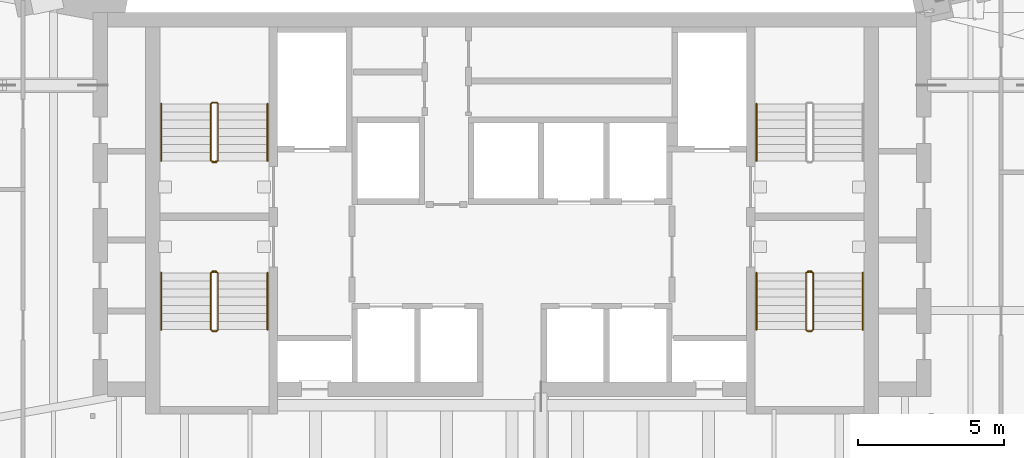
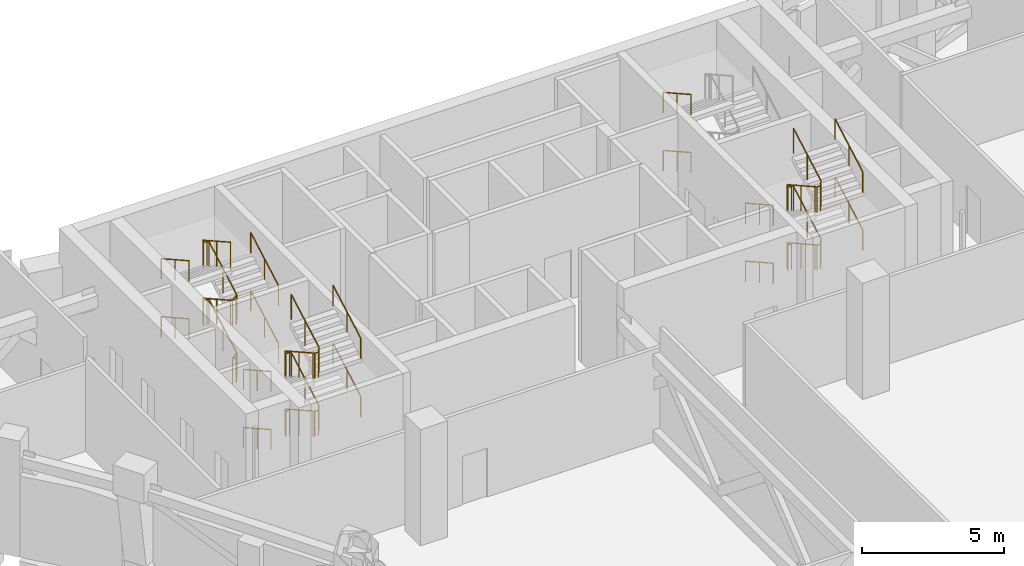
# One storey, part 22 of 23: 17 railings.
"""IFC4 building model written with IfcOpenShell, lengths in metres."""

import ifcopenshell
import ifcopenshell.guid

model = None  # the IFC model being written
_history = None  # IfcOwnerHistory: only IFC2X3 demands one
_inside = {}  # id of a spatial element -> (the spatial element, [elements in it])
_under = {}  # id of a project, library or spatial element -> (it, [spatial elements below it])
_declared = {}  # id of a project -> (the project, [libraries it declares])
_typed = {}  # id of a type object -> (the type object, [elements of that type])
_made_of = {}  # id of a material, layer set ... -> (it, [elements and type objects made of it])


def new_model(schema):
    """Start an empty IFC model of exactly this schema.

    Asked for "IFC4X3", IfcOpenShell would pick the latest addendum, in which some entities
    have other attributes; the version numbers below select the first issue.
    IFC2X3 requires an IfcOwnerHistory on every rooted entity: one is made here for all.
    """
    global model, _history
    if schema == "IFC4X3":
        model = ifcopenshell.file(schema_version=(4, 3, 0, 0))
    else:
        model = ifcopenshell.file(schema=schema)
    _inside.clear()
    _under.clear()
    _declared.clear()
    _typed.clear()
    _made_of.clear()
    _history = None
    if model.schema == "IFC2X3":
        org = make("IfcOrganization", Name="unknown")
        user = make(
            "IfcPersonAndOrganization",
            ThePerson=make("IfcPerson", FamilyName="unknown"),
            TheOrganization=org,
        )
        app = make(
            "IfcApplication",
            ApplicationDeveloper=org,
            Version="unknown",
            ApplicationFullName="unknown",
            ApplicationIdentifier="unknown",
        )
        _history = make(
            "IfcOwnerHistory",
            OwningUser=user,
            OwningApplication=app,
            ChangeAction="ADDED",
            CreationDate=0,
        )
    return model


def make(cls, **values):
    """One entity of the class cls with the attributes given. An attribute that is None is left unset."""
    return model.create_entity(
        cls, **{name: value for name, value in values.items() if value is not None}
    )


def rooted(cls, **values):
    """An entity with a GlobalId (a new one), such as an element, a storey or a relation."""
    return make(cls, GlobalId=ifcopenshell.guid.new(), OwnerHistory=_history, **values)


def si_unit(unit_type, name, prefix=None):
    """IfcSIUnit, for example si_unit("LENGTHUNIT", "METRE", prefix="MILLI")."""
    return make("IfcSIUnit", UnitType=unit_type, Prefix=prefix, Name=name)


def assignment(units):
    """IfcUnitAssignment: the units of a project."""
    return None if units is None else make("IfcUnitAssignment", Units=units)


def point(xyz):
    """IfcCartesianPoint."""
    return None if xyz is None else make("IfcCartesianPoint", Coordinates=xyz)


def direction(xyz):
    """IfcDirection."""
    return None if xyz is None else make("IfcDirection", DirectionRatios=xyz)


def frame(location, z_axis=None, x_axis=None):
    """IfcAxis2Placement3D, a coordinate frame: its origin and axes. An axis left out is left unset."""
    return make(
        "IfcAxis2Placement3D",
        Location=point(location),
        Axis=direction(z_axis),
        RefDirection=direction(x_axis),
    )


def frame_2d(location, x_axis=None):
    """IfcAxis2Placement2D, a coordinate frame in the plane: its origin and x axis."""
    return make(
        "IfcAxis2Placement2D", Location=point(location), RefDirection=direction(x_axis)
    )


def origin():
    """The frame at (0, 0, 0) with its axes left unset."""
    return frame((0.0, 0.0, 0.0))


def origin_2d():
    """The frame at (0, 0) in the plane with its x axis left unset."""
    return frame_2d((0.0, 0.0))


def place(relative_to, where):
    """IfcLocalPlacement: puts the frame where relative to a parent placement (None: the world)."""
    return make(
        "IfcLocalPlacement", PlacementRelTo=relative_to, RelativePlacement=where
    )


def context(
    kind, dimensions, precision=None, world=None, true_north=None, identifier=None
):
    """IfcGeometricRepresentationContext, for example the 3D "Model" context."""
    return make(
        "IfcGeometricRepresentationContext",
        ContextIdentifier=identifier,
        ContextType=kind,
        CoordinateSpaceDimension=dimensions,
        Precision=precision,
        WorldCoordinateSystem=world,
        TrueNorth=true_north,
    )


def subcontext(parent, identifier, kind, view, scale=None):
    """IfcGeometricRepresentationSubContext, for example "Body" below "Model"."""
    return make(
        "IfcGeometricRepresentationSubContext",
        ContextIdentifier=identifier,
        ContextType=kind,
        ParentContext=parent,
        TargetScale=scale,
        TargetView=view,
    )


def project(units=None, contexts=None):
    """IfcProject with its units and contexts."""
    return rooted(
        "IfcProject",
        Name="project",
        RepresentationContexts=contexts,
        UnitsInContext=assignment(units),
    )


def spatial(cls, under=None, at=None, **own):
    """A site, building, storey or space (cls), placed at a placement, below another one or the project."""
    s = rooted(cls, ObjectPlacement=at, **own)
    if under is not None:
        _under.setdefault(under.id(), (under, []))[1].append(s)
    return s


def profile(cls, at=None, kind="AREA", **sizes):
    """A parametric profile (cls). Its sizes go by their IFC names, for example OverallWidth=200.0."""
    return make(cls, ProfileType=kind, Position=at, **sizes)


def circle(**sizes):
    """IfcCircleProfileDef."""
    return profile("IfcCircleProfileDef", **sizes)


def extrude(swept, where, along, depth):
    """IfcExtrudedAreaSolid: the profile swept, set in the frame where, extruded along a direction by depth."""
    return make(
        "IfcExtrudedAreaSolid",
        SweptArea=swept,
        Position=where,
        ExtrudedDirection=direction(along),
        Depth=depth,
    )


def shape(context_of_items, identifier, shape_type, items):
    """IfcShapeRepresentation: the items that make up one representation, for example the "Body"."""
    return make(
        "IfcShapeRepresentation",
        ContextOfItems=context_of_items,
        RepresentationIdentifier=identifier,
        RepresentationType=shape_type,
        Items=items,
    )


def material(Name=None, Category=None):
    """IfcMaterial."""
    return make("IfcMaterial", Name=Name, Category=Category)


def made_of(thing, what):
    """Note that an element or type object is made of a material, layer set ...; save() writes the relation."""
    if what is not None:
        _made_of.setdefault(what.id(), (what, []))[1].append(thing)
    return thing


def type_object(cls, material=None, **own):
    """A type object (cls), such as IfcWallType, which elements share."""
    return made_of(rooted(cls, **own), material)


def element(
    cls,
    number,
    at=None,
    inside=None,
    cuts=None,
    type_object=None,
    material=None,
    context=None,
    identifier="Body",
    shape_type=None,
    held_by="IfcProductDefinitionShape",
    body=None,
    shapes=None,
    **own,
):
    """One element of the class cls, such as IfcWall. Its Tag is "e" and its number.

    at: its placement. inside: the storey or other place that contains it. cuts: it is an
    opening in that element (IfcRelVoidsElement). A single representation is given by context,
    identifier, shape_type and body (its items); several are given by shapes. held_by: the class
    of the entity that holds the representations. save() writes the other relations.
    """
    e = rooted(cls, Tag="e%d" % number, ObjectPlacement=at, **own)
    if body is not None:
        shapes = [shape(context, identifier, shape_type, body)]
    if shapes is not None:
        e.Representation = make(held_by, Representations=shapes)
    if inside is not None:
        _inside.setdefault(inside.id(), (inside, []))[1].append(e)
    if cuts is not None:
        rooted(
            "IfcRelVoidsElement", RelatingBuildingElement=cuts, RelatedOpeningElement=e
        )
    if type_object is not None:
        _typed.setdefault(type_object.id(), (type_object, []))[1].append(e)
    return made_of(e, material)


def aggregate(whole, parts):
    """IfcRelAggregates: a whole, such as a stair, and the parts it consists of."""
    return rooted("IfcRelAggregates", RelatingObject=whole, RelatedObjects=parts)


def save(model, path):
    """Write the relations noted so far, then the file.

    IfcRelAggregates (storeys below a building ...), IfcRelContainedInSpatialStructure (elements
    in a storey), IfcRelDefinesByType, IfcRelAssociatesMaterial and IfcRelDeclares: one each for
    every whole, place, type object, material and project.
    """
    for whole, parts in _under.values():
        aggregate(whole, parts)
    for where, things in _inside.values():
        rooted(
            "IfcRelContainedInSpatialStructure",
            RelatedElements=things,
            RelatingStructure=where,
        )
    for kind, things in _typed.values():
        rooted("IfcRelDefinesByType", RelatedObjects=things, RelatingType=kind)
    for what, things in _made_of.values():
        rooted("IfcRelAssociatesMaterial", RelatedObjects=things, RelatingMaterial=what)
    for by, libraries in _declared.values():
        rooted("IfcRelDeclares", RelatingContext=by, RelatedDefinitions=libraries)
    model.write(path)


model = new_model("IFC4")

# Units and contexts
model_context = context("Model", 3, precision=1e-05, world=origin(), true_north=direction((0.0, 1.0)))
body_context = subcontext(model_context, "Body", "Model", "MODEL_VIEW")
ifc_project = project(units=[si_unit("LENGTHUNIT", "METRE"), si_unit("AREAUNIT", "SQUARE_METRE"), si_unit("VOLUMEUNIT", "CUBIC_METRE"), si_unit("PLANEANGLEUNIT", "RADIAN"), si_unit("MASSUNIT", "GRAM", prefix="KILO")], contexts=[model_context])

# Site, building, storey
site_placement = place(None, origin())
site = spatial("IfcSite", under=ifc_project, at=site_placement, CompositionType="ELEMENT")
building_placement = place(site_placement, origin())
building = spatial("IfcBuilding", under=site, at=building_placement, Name="Calabash Gate Tower", CompositionType="ELEMENT")
storey_placement = place(building_placement, frame((0.0, 0.0, 243.199951171875)))
storey = spatial("IfcBuildingStorey", under=building, at=storey_placement, Name="L58", CompositionType="ELEMENT", Elevation=243.199951171875)

# Railings
ifc_material_1 = material(Name="Black powder-coated steel balusters", Category="steel")
railing_type_1 = type_object("IfcRailingType", Name="Stair guard RL1100", PredefinedType="GUARDRAIL", material=ifc_material_1)
railing_1_placement = place(storey_placement, frame((-10.14990234375, 13.902587890625, 0.0)))
element("IfcRailing", 1, at=railing_1_placement, inside=storey, type_object=railing_type_1, Name="L58 ST1 stair guard 1", PredefinedType="GUARDRAIL", context=body_context, shape_type="SweptSolid", body=[
    extrude(circle(Radius=0.02392578125, at=origin_2d()), frame((0.0, 0.0, 1.076171875), z_axis=(-1.0, 0.0, 0.0), x_axis=(0.0, -1.0, 0.0)), (0.0, 0.0, 1.0), 0.150146484375),
    extrude(circle(Radius=0.02392578125, at=origin_2d()), frame((-0.150146484375, 0.0, 1.076171875), z_axis=(0.77305925043, 0.19350078918, 0.604100024756), x_axis=(-0.242814311512, 0.970072785993, 0.0)), (0.0, 0.0, 1.0), 0.258544921875),
    extrude(circle(Radius=0.02392578125, at=origin_2d()), frame((0.0498046875, 0.050048828125, 1.232421875), z_axis=(0.0, 0.872479975208, 0.48864986735), x_axis=(-1.0, 0.0, 0.0)), (0.0, 0.0, 1.0), 2.23828125),
    extrude(circle(Radius=0.02392578125, at=origin_2d()), frame((0.0498046875, 2.0029296875, 2.326171875), z_axis=(-0.705375805398, 0.708833529934, 0.0), x_axis=(-0.708833529934, -0.705375805398, 0.0)), (0.0, 0.0, 1.0), 0.070556640625),
    extrude(circle(Radius=0.02392578125, at=origin_2d()), frame((0.0, 2.052978515625, 2.326171875), z_axis=(-1.0, 0.0, 0.0), x_axis=(0.0, -1.0, 0.0)), (0.0, 0.0, 1.0), 0.150146484375),
    extrude(circle(Radius=0.02392578125, at=origin_2d()), frame((-0.150146484375, 2.052978515625, 2.326171875), z_axis=(-0.29177245553, -0.29177245553, 0.91089937336), x_axis=(0.707106781187, -0.707106781187, 0.0)), (0.0, 0.0, 1.0), 0.171630859375),
    extrude(circle(Radius=0.02392578125, at=origin_2d()), frame((-0.2001953125, 2.0029296875, 2.482421875), z_axis=(0.0, -0.872479975208, 0.48864986735), x_axis=(1.0, 0.0, 0.0)), (0.0, 0.0, 1.0), 2.23828125),
    extrude(circle(Radius=0.02392578125, at=origin_2d()), frame((-0.2001953125, 0.050048828125, 3.576171875), z_axis=(0.970142500145, -0.242535625036, 0.0), x_axis=(0.242535625036, 0.970142500145, 0.0)), (0.0, 0.0, 1.0), 0.206298828125),
    extrude(circle(Radius=0.02392578125, at=origin_2d()), frame((0.0, 0.0, 3.576171875), z_axis=(-1.0, 0.0, 0.0), x_axis=(0.0, -1.0, 0.0)), (0.0, 0.0, 1.0), 0.150146484375),
    extrude(circle(Radius=0.02392578125, at=origin_2d()), frame((-0.150146484375, 0.0, 3.576171875), z_axis=(0.77305925043, 0.19350078918, 0.604100024756), x_axis=(-0.242814311512, 0.970072785993, 0.0)), (0.0, 0.0, 1.0), 0.258544921875),
    extrude(circle(Radius=0.02392578125, at=origin_2d()), frame((0.0498046875, 0.050048828125, 3.732421875), z_axis=(0.0, 0.872479975208, 0.48864986735), x_axis=(-1.0, 0.0, 0.0)), (0.0, 0.0, 1.0), 2.23828125),
    extrude(circle(Radius=0.02392578125, at=origin_2d()), frame((0.0498046875, 2.0029296875, 4.826171875), z_axis=(-0.705375805398, 0.708833529934, 0.0), x_axis=(-0.708833529934, -0.705375805398, 0.0)), (0.0, 0.0, 1.0), 0.070556640625),
    extrude(circle(Radius=0.02392578125, at=origin_2d()), frame((0.0, 2.052978515625, 4.826171875), z_axis=(-1.0, 0.0, 0.0), x_axis=(0.0, -1.0, 0.0)), (0.0, 0.0, 1.0), 0.150146484375),
    extrude(circle(Radius=0.02392578125, at=origin_2d()), frame((-0.150146484375, 2.052978515625, 4.826171875), z_axis=(-0.29177245553, -0.29177245553, 0.91089937336), x_axis=(0.707106781187, -0.707106781187, 0.0)), (0.0, 0.0, 1.0), 0.171630859375),
    extrude(circle(Radius=0.02392578125, at=origin_2d()), frame((-0.2001953125, 2.0029296875, 4.982421875), z_axis=(0.0, -0.872479975208, 0.48864986735), x_axis=(1.0, 0.0, 0.0)), (0.0, 0.0, 1.0), 2.23828125),
    extrude(circle(Radius=0.02099609375, at=origin_2d()), origin(), (0.0, 0.0, 1.0), 1.052001953125),
    extrude(circle(Radius=0.02099609375, at=origin_2d()), frame((-0.150146484375, 0.0, 0.0)), (0.0, 0.0, 1.0), 1.052001953125),
    extrude(circle(Radius=0.02099609375, at=origin_2d()), frame((0.0498046875, 0.050048828125, 0.15625)), (0.0, 0.0, 1.0), 1.052001953125),
    extrude(circle(Radius=0.02099609375, at=origin_2d()), frame((0.0498046875, 1.0263671875, 0.703125)), (0.0, 0.0, 1.0), 1.052001953125),
    extrude(circle(Radius=0.02099609375, at=origin_2d()), frame((0.0498046875, 2.0029296875, 1.25)), (0.0, 0.0, 1.0), 1.052001953125),
    extrude(circle(Radius=0.02099609375, at=origin_2d()), frame((0.0, 2.052978515625, 1.25)), (0.0, 0.0, 1.0), 1.052001953125),
    extrude(circle(Radius=0.02099609375, at=origin_2d()), frame((-0.150146484375, 2.052978515625, 1.25)), (0.0, 0.0, 1.0), 1.052001953125),
    extrude(circle(Radius=0.02099609375, at=origin_2d()), frame((-0.2001953125, 2.0029296875, 1.40625)), (0.0, 0.0, 1.0), 1.052001953125),
    extrude(circle(Radius=0.02099609375, at=origin_2d()), frame((-0.2001953125, 1.0263671875, 1.953125)), (0.0, 0.0, 1.0), 1.052001953125),
    extrude(circle(Radius=0.02099609375, at=origin_2d()), frame((-0.2001953125, 0.050048828125, 2.5)), (0.0, 0.0, 1.0), 1.052001953125),
    extrude(circle(Radius=0.02099609375, at=origin_2d()), frame((0.0, 0.0, 2.5)), (0.0, 0.0, 1.0), 1.052001953125),
    extrude(circle(Radius=0.02099609375, at=origin_2d()), frame((-0.150146484375, 0.0, 2.5)), (0.0, 0.0, 1.0), 1.052001953125),
    extrude(circle(Radius=0.02099609375, at=origin_2d()), frame((0.0498046875, 0.050048828125, 2.65625)), (0.0, 0.0, 1.0), 1.052001953125),
    extrude(circle(Radius=0.02099609375, at=origin_2d()), frame((0.0498046875, 1.0263671875, 3.203125)), (0.0, 0.0, 1.0), 1.052001953125),
    extrude(circle(Radius=0.02099609375, at=origin_2d()), frame((0.0498046875, 2.0029296875, 3.75)), (0.0, 0.0, 1.0), 1.052001953125),
    extrude(circle(Radius=0.02099609375, at=origin_2d()), frame((0.0, 2.052978515625, 3.75)), (0.0, 0.0, 1.0), 1.052001953125),
    extrude(circle(Radius=0.02099609375, at=origin_2d()), frame((-0.150146484375, 2.052978515625, 3.75)), (0.0, 0.0, 1.0), 1.052001953125),
    extrude(circle(Radius=0.02099609375, at=origin_2d()), frame((-0.2001953125, 2.0029296875, 3.90625)), (0.0, 0.0, 1.0), 1.052001953125),
    extrude(circle(Radius=0.02099609375, at=origin_2d()), frame((-0.2001953125, 1.0263671875, 4.453125)), (0.0, 0.0, 1.0), 1.052001953125),
    extrude(circle(Radius=0.02099609375, at=origin_2d()), frame((-0.2001953125, 0.050048828125, 5.0)), (0.0, 0.0, 1.0), 1.052001953125),
])
railing_2_placement = place(storey_placement, frame((-10.300048828125, 10.152587890625, 0.0)))
element("IfcRailing", 2, at=railing_2_placement, inside=storey, type_object=railing_type_1, Name="L58 ST2 stair guard 1", PredefinedType="GUARDRAIL", context=body_context, shape_type="SweptSolid", body=[
    extrude(circle(Radius=0.02392578125, at=origin_2d()), frame((0.0, 0.0, 1.076171875), z_axis=(1.0, 0.0, 0.0), x_axis=(0.0, 1.0, 0.0)), (0.0, 0.0, 1.0), 0.150146484375),
    extrude(circle(Radius=0.02392578125, at=origin_2d()), frame((0.150146484375, 0.0, 1.076171875), z_axis=(-0.773438643492, -0.193359660873, 0.603659429067), x_axis=(0.242535625036, -0.970142500145, 0.0)), (0.0, 0.0, 1.0), 0.2587890625),
    extrude(circle(Radius=0.02392578125, at=origin_2d()), frame((-0.050048828125, -0.050048828125, 1.232421875), z_axis=(0.0, -0.872479975208, 0.48864986735), x_axis=(1.0, 0.0, 0.0)), (0.0, 0.0, 1.0), 2.23828125),
    extrude(circle(Radius=0.02392578125, at=origin_2d()), frame((-0.050048828125, -2.0029296875, 2.326171875), z_axis=(0.707106781187, -0.707106781187, 0.0), x_axis=(0.707106781187, 0.707106781187, 0.0)), (0.0, 0.0, 1.0), 0.07080078125),
    extrude(circle(Radius=0.02392578125, at=origin_2d()), frame((0.0, -2.052978515625, 2.326171875), z_axis=(1.0, 0.0, 0.0), x_axis=(0.0, 1.0, 0.0)), (0.0, 0.0, 1.0), 0.150146484375),
    extrude(circle(Radius=0.02392578125, at=origin_2d()), frame((0.150146484375, -2.052978515625, 2.326171875), z_axis=(0.290469530425, 0.291893400672, 0.911276958196), x_axis=(-0.708833529934, 0.705375805398, 0.0)), (0.0, 0.0, 1.0), 0.17138671875),
    extrude(circle(Radius=0.02392578125, at=origin_2d()), frame((0.199951171875, -2.0029296875, 2.482421875), z_axis=(0.0, 0.872479975208, 0.48864986735), x_axis=(-1.0, 0.0, 0.0)), (0.0, 0.0, 1.0), 2.23828125),
    extrude(circle(Radius=0.02392578125, at=origin_2d()), frame((0.199951171875, -0.050048828125, 3.576171875), z_axis=(-0.970072785993, 0.242814311512, 0.0), x_axis=(-0.242814311512, -0.970072785993, 0.0)), (0.0, 0.0, 1.0), 0.2060546875),
    extrude(circle(Radius=0.02392578125, at=origin_2d()), frame((0.0, 0.0, 3.576171875), z_axis=(1.0, 0.0, 0.0), x_axis=(0.0, 1.0, 0.0)), (0.0, 0.0, 1.0), 0.150146484375),
    extrude(circle(Radius=0.02392578125, at=origin_2d()), frame((0.150146484375, 0.0, 3.576171875), z_axis=(-0.773438643492, -0.193359660873, 0.603659429067), x_axis=(0.242535625036, -0.970142500145, 0.0)), (0.0, 0.0, 1.0), 0.2587890625),
    extrude(circle(Radius=0.02392578125, at=origin_2d()), frame((-0.050048828125, -0.050048828125, 3.732421875), z_axis=(0.0, -0.872479975208, 0.48864986735), x_axis=(1.0, 0.0, 0.0)), (0.0, 0.0, 1.0), 2.23828125),
    extrude(circle(Radius=0.02392578125, at=origin_2d()), frame((-0.050048828125, -2.0029296875, 4.826171875), z_axis=(0.707106781187, -0.707106781187, 0.0), x_axis=(0.707106781187, 0.707106781187, 0.0)), (0.0, 0.0, 1.0), 0.07080078125),
    extrude(circle(Radius=0.02392578125, at=origin_2d()), frame((0.0, -2.052978515625, 4.826171875), z_axis=(1.0, 0.0, 0.0), x_axis=(0.0, 1.0, 0.0)), (0.0, 0.0, 1.0), 0.150146484375),
    extrude(circle(Radius=0.02392578125, at=origin_2d()), frame((0.150146484375, -2.052978515625, 4.826171875), z_axis=(0.290469530425, 0.291893400672, 0.911276958196), x_axis=(-0.708833529934, 0.705375805398, 0.0)), (0.0, 0.0, 1.0), 0.17138671875),
    extrude(circle(Radius=0.02392578125, at=origin_2d()), frame((0.199951171875, -2.0029296875, 4.982421875), z_axis=(0.0, 0.872479975208, 0.48864986735), x_axis=(-1.0, 0.0, 0.0)), (0.0, 0.0, 1.0), 2.23828125),
    extrude(circle(Radius=0.02099609375, at=origin_2d()), origin(), (0.0, 0.0, 1.0), 1.052001953125),
    extrude(circle(Radius=0.02099609375, at=origin_2d()), frame((0.150146484375, 0.0, 0.0)), (0.0, 0.0, 1.0), 1.052001953125),
    extrude(circle(Radius=0.02099609375, at=origin_2d()), frame((-0.050048828125, -0.050048828125, 0.15625)), (0.0, 0.0, 1.0), 1.052001953125),
    extrude(circle(Radius=0.02099609375, at=origin_2d()), frame((-0.050048828125, -1.0263671875, 0.703125)), (0.0, 0.0, 1.0), 1.052001953125),
    extrude(circle(Radius=0.02099609375, at=origin_2d()), frame((-0.050048828125, -2.0029296875, 1.25)), (0.0, 0.0, 1.0), 1.052001953125),
    extrude(circle(Radius=0.02099609375, at=origin_2d()), frame((0.0, -2.052978515625, 1.25)), (0.0, 0.0, 1.0), 1.052001953125),
    extrude(circle(Radius=0.02099609375, at=origin_2d()), frame((0.150146484375, -2.052978515625, 1.25)), (0.0, 0.0, 1.0), 1.052001953125),
    extrude(circle(Radius=0.02099609375, at=origin_2d()), frame((0.199951171875, -2.0029296875, 1.40625)), (0.0, 0.0, 1.0), 1.052001953125),
    extrude(circle(Radius=0.02099609375, at=origin_2d()), frame((0.199951171875, -1.0263671875, 1.953125)), (0.0, 0.0, 1.0), 1.052001953125),
    extrude(circle(Radius=0.02099609375, at=origin_2d()), frame((0.199951171875, -0.050048828125, 2.5)), (0.0, 0.0, 1.0), 1.052001953125),
    extrude(circle(Radius=0.02099609375, at=origin_2d()), frame((0.0, 0.0, 2.5)), (0.0, 0.0, 1.0), 1.052001953125),
    extrude(circle(Radius=0.02099609375, at=origin_2d()), frame((0.150146484375, 0.0, 2.5)), (0.0, 0.0, 1.0), 1.052001953125),
    extrude(circle(Radius=0.02099609375, at=origin_2d()), frame((-0.050048828125, -0.050048828125, 2.65625)), (0.0, 0.0, 1.0), 1.052001953125),
    extrude(circle(Radius=0.02099609375, at=origin_2d()), frame((-0.050048828125, -1.0263671875, 3.203125)), (0.0, 0.0, 1.0), 1.052001953125),
    extrude(circle(Radius=0.02099609375, at=origin_2d()), frame((-0.050048828125, -2.0029296875, 3.75)), (0.0, 0.0, 1.0), 1.052001953125),
    extrude(circle(Radius=0.02099609375, at=origin_2d()), frame((0.0, -2.052978515625, 3.75)), (0.0, 0.0, 1.0), 1.052001953125),
    extrude(circle(Radius=0.02099609375, at=origin_2d()), frame((0.150146484375, -2.052978515625, 3.75)), (0.0, 0.0, 1.0), 1.052001953125),
    extrude(circle(Radius=0.02099609375, at=origin_2d()), frame((0.199951171875, -2.0029296875, 3.90625)), (0.0, 0.0, 1.0), 1.052001953125),
    extrude(circle(Radius=0.02099609375, at=origin_2d()), frame((0.199951171875, -1.0263671875, 4.453125)), (0.0, 0.0, 1.0), 1.052001953125),
    extrude(circle(Radius=0.02099609375, at=origin_2d()), frame((0.199951171875, -0.050048828125, 5.0)), (0.0, 0.0, 1.0), 1.052001953125),
])
railing_3_placement = place(storey_placement, frame((10.14990234375, 10.152587890625, 0.0)))
element("IfcRailing", 3, at=railing_3_placement, inside=storey, type_object=railing_type_1, Name="L58 ST4 stair guard 1", PredefinedType="GUARDRAIL", context=body_context, shape_type="SweptSolid", body=[
    extrude(circle(Radius=0.02392578125, at=origin_2d()), frame((0.0, 0.0, 1.076171875), z_axis=(1.0, 0.0, 0.0), x_axis=(0.0, 1.0, 0.0)), (0.0, 0.0, 1.0), 0.150146484375),
    extrude(circle(Radius=0.02392578125, at=origin_2d()), frame((0.150146484375, 0.0, 1.076171875), z_axis=(-0.77305925043, -0.19350078918, 0.604100024756), x_axis=(0.242814311512, -0.970072785993, 0.0)), (0.0, 0.0, 1.0), 0.258544921875),
    extrude(circle(Radius=0.02392578125, at=origin_2d()), frame((-0.0498046875, -0.050048828125, 1.232421875), z_axis=(0.0, -0.872479975208, 0.48864986735), x_axis=(1.0, 0.0, 0.0)), (0.0, 0.0, 1.0), 2.23828125),
    extrude(circle(Radius=0.02392578125, at=origin_2d()), frame((-0.0498046875, -2.0029296875, 2.326171875), z_axis=(0.705375805398, -0.708833529934, 0.0), x_axis=(0.708833529934, 0.705375805398, 0.0)), (0.0, 0.0, 1.0), 0.070556640625),
    extrude(circle(Radius=0.02392578125, at=origin_2d()), frame((0.0, -2.052978515625, 2.326171875), z_axis=(1.0, 0.0, 0.0), x_axis=(0.0, 1.0, 0.0)), (0.0, 0.0, 1.0), 0.150146484375),
    extrude(circle(Radius=0.02392578125, at=origin_2d()), frame((0.150146484375, -2.052978515625, 2.326171875), z_axis=(0.29177245553, 0.29177245553, 0.91089937336), x_axis=(-0.707106781187, 0.707106781187, 0.0)), (0.0, 0.0, 1.0), 0.171630859375),
    extrude(circle(Radius=0.02392578125, at=origin_2d()), frame((0.2001953125, -2.0029296875, 2.482421875), z_axis=(0.0, 0.872479975208, 0.48864986735), x_axis=(-1.0, 0.0, 0.0)), (0.0, 0.0, 1.0), 2.23828125),
    extrude(circle(Radius=0.02392578125, at=origin_2d()), frame((0.2001953125, -0.050048828125, 3.576171875), z_axis=(-0.970142500145, 0.242535625036, 0.0), x_axis=(-0.242535625036, -0.970142500145, 0.0)), (0.0, 0.0, 1.0), 0.206298828125),
    extrude(circle(Radius=0.02392578125, at=origin_2d()), frame((0.0, 0.0, 3.576171875), z_axis=(1.0, 0.0, 0.0), x_axis=(0.0, 1.0, 0.0)), (0.0, 0.0, 1.0), 0.150146484375),
    extrude(circle(Radius=0.02392578125, at=origin_2d()), frame((0.150146484375, 0.0, 3.576171875), z_axis=(-0.77305925043, -0.19350078918, 0.604100024756), x_axis=(0.242814311512, -0.970072785993, 0.0)), (0.0, 0.0, 1.0), 0.258544921875),
    extrude(circle(Radius=0.02392578125, at=origin_2d()), frame((-0.0498046875, -0.050048828125, 3.732421875), z_axis=(0.0, -0.872479975208, 0.48864986735), x_axis=(1.0, 0.0, 0.0)), (0.0, 0.0, 1.0), 2.23828125),
    extrude(circle(Radius=0.02392578125, at=origin_2d()), frame((-0.0498046875, -2.0029296875, 4.826171875), z_axis=(0.705375805398, -0.708833529934, 0.0), x_axis=(0.708833529934, 0.705375805398, 0.0)), (0.0, 0.0, 1.0), 0.070556640625),
    extrude(circle(Radius=0.02392578125, at=origin_2d()), frame((0.0, -2.052978515625, 4.826171875), z_axis=(1.0, 0.0, 0.0), x_axis=(0.0, 1.0, 0.0)), (0.0, 0.0, 1.0), 0.150146484375),
    extrude(circle(Radius=0.02392578125, at=origin_2d()), frame((0.150146484375, -2.052978515625, 4.826171875), z_axis=(0.29177245553, 0.29177245553, 0.91089937336), x_axis=(-0.707106781187, 0.707106781187, 0.0)), (0.0, 0.0, 1.0), 0.171630859375),
    extrude(circle(Radius=0.02392578125, at=origin_2d()), frame((0.2001953125, -2.0029296875, 4.982421875), z_axis=(0.0, 0.872479975208, 0.48864986735), x_axis=(-1.0, 0.0, 0.0)), (0.0, 0.0, 1.0), 2.23828125),
    extrude(circle(Radius=0.02099609375, at=origin_2d()), origin(), (0.0, 0.0, 1.0), 1.052001953125),
    extrude(circle(Radius=0.02099609375, at=origin_2d()), frame((0.150146484375, 0.0, 0.0)), (0.0, 0.0, 1.0), 1.052001953125),
    extrude(circle(Radius=0.02099609375, at=origin_2d()), frame((-0.0498046875, -0.050048828125, 0.15625)), (0.0, 0.0, 1.0), 1.052001953125),
    extrude(circle(Radius=0.02099609375, at=origin_2d()), frame((-0.0498046875, -1.0263671875, 0.703125)), (0.0, 0.0, 1.0), 1.052001953125),
    extrude(circle(Radius=0.02099609375, at=origin_2d()), frame((-0.0498046875, -2.0029296875, 1.25)), (0.0, 0.0, 1.0), 1.052001953125),
    extrude(circle(Radius=0.02099609375, at=origin_2d()), frame((0.0, -2.052978515625, 1.25)), (0.0, 0.0, 1.0), 1.052001953125),
    extrude(circle(Radius=0.02099609375, at=origin_2d()), frame((0.150146484375, -2.052978515625, 1.25)), (0.0, 0.0, 1.0), 1.052001953125),
    extrude(circle(Radius=0.02099609375, at=origin_2d()), frame((0.2001953125, -2.0029296875, 1.40625)), (0.0, 0.0, 1.0), 1.052001953125),
    extrude(circle(Radius=0.02099609375, at=origin_2d()), frame((0.2001953125, -1.0263671875, 1.953125)), (0.0, 0.0, 1.0), 1.052001953125),
    extrude(circle(Radius=0.02099609375, at=origin_2d()), frame((0.2001953125, -0.050048828125, 2.5)), (0.0, 0.0, 1.0), 1.052001953125),
    extrude(circle(Radius=0.02099609375, at=origin_2d()), frame((0.0, 0.0, 2.5)), (0.0, 0.0, 1.0), 1.052001953125),
    extrude(circle(Radius=0.02099609375, at=origin_2d()), frame((0.150146484375, 0.0, 2.5)), (0.0, 0.0, 1.0), 1.052001953125),
    extrude(circle(Radius=0.02099609375, at=origin_2d()), frame((-0.0498046875, -0.050048828125, 2.65625)), (0.0, 0.0, 1.0), 1.052001953125),
    extrude(circle(Radius=0.02099609375, at=origin_2d()), frame((-0.0498046875, -1.0263671875, 3.203125)), (0.0, 0.0, 1.0), 1.052001953125),
    extrude(circle(Radius=0.02099609375, at=origin_2d()), frame((-0.0498046875, -2.0029296875, 3.75)), (0.0, 0.0, 1.0), 1.052001953125),
    extrude(circle(Radius=0.02099609375, at=origin_2d()), frame((0.0, -2.052978515625, 3.75)), (0.0, 0.0, 1.0), 1.052001953125),
    extrude(circle(Radius=0.02099609375, at=origin_2d()), frame((0.150146484375, -2.052978515625, 3.75)), (0.0, 0.0, 1.0), 1.052001953125),
    extrude(circle(Radius=0.02099609375, at=origin_2d()), frame((0.2001953125, -2.0029296875, 3.90625)), (0.0, 0.0, 1.0), 1.052001953125),
    extrude(circle(Radius=0.02099609375, at=origin_2d()), frame((0.2001953125, -1.0263671875, 4.453125)), (0.0, 0.0, 1.0), 1.052001953125),
    extrude(circle(Radius=0.02099609375, at=origin_2d()), frame((0.2001953125, -0.050048828125, 5.0)), (0.0, 0.0, 1.0), 1.052001953125),
])
ifc_material_2 = material(Name="Black powder-coated steel tube 48 mm", Category="steel")
railing_type_2 = type_object("IfcRailingType", Name="Stair handrail RL900", PredefinedType="HANDRAIL", material=ifc_material_2)
railing_4_placement = place(storey_placement, frame((-8.39990234375, 13.95263671875, 0.15625)))
element("IfcRailing", 4, at=railing_4_placement, inside=storey, type_object=railing_type_2, Name="L58 ST1 stair handrail 1", PredefinedType="HANDRAIL", context=body_context, shape_type="SweptSolid", body=[
    extrude(circle(Radius=0.02392578125, at=origin_2d()), frame((0.0, 0.0, 0.8759765625), z_axis=(0.0, 0.872479975208, 0.48864986735), x_axis=(-1.0, 0.0, 0.0)), (0.0, 0.0, 1.0), 2.23828125),
    extrude(circle(Radius=0.02099609375, at=origin_2d()), origin(), (0.0, 0.0, 1.0), 0.851806640625),
    extrude(circle(Radius=0.02099609375, at=origin_2d()), frame((0.0, 0.9765625, 0.546875)), (0.0, 0.0, 1.0), 0.851806640625),
    extrude(circle(Radius=0.02099609375, at=origin_2d()), frame((0.0, 1.952880859375, 1.09375)), (0.0, 0.0, 1.0), 0.851806640625),
])
railing_5_placement = place(storey_placement, frame((-12.050048828125, 15.905517578125, 1.40625)))
element("IfcRailing", 5, at=railing_5_placement, inside=storey, type_object=railing_type_2, Name="L58 ST1 stair handrail 2", PredefinedType="HANDRAIL", context=body_context, shape_type="SweptSolid", body=[
    extrude(circle(Radius=0.02392578125, at=origin_2d()), frame((0.0, 0.0, 0.8759765625), z_axis=(0.0, -0.872479975208, 0.48864986735), x_axis=(1.0, 0.0, 0.0)), (0.0, 0.0, 1.0), 2.23828125),
    extrude(circle(Radius=0.02099609375, at=origin_2d()), origin(), (0.0, 0.0, 1.0), 0.851806640625),
    extrude(circle(Radius=0.02099609375, at=origin_2d()), frame((0.0, -0.9765625, 0.546875)), (0.0, 0.0, 1.0), 0.851806640625),
    extrude(circle(Radius=0.02099609375, at=origin_2d()), frame((0.0, -1.952880859375, 1.09375)), (0.0, 0.0, 1.0), 0.851806640625),
])
railing_6_placement = place(storey_placement, frame((-8.39990234375, 13.95263671875, 2.65625)))
element("IfcRailing", 6, at=railing_6_placement, inside=storey, type_object=railing_type_2, Name="L58 ST1 stair handrail 3", PredefinedType="HANDRAIL", context=body_context, shape_type="SweptSolid", body=[
    extrude(circle(Radius=0.02392578125, at=origin_2d()), frame((0.0, 0.0, 0.8759765625), z_axis=(0.0, 0.872479975208, 0.48864986735), x_axis=(-1.0, 0.0, 0.0)), (0.0, 0.0, 1.0), 2.23828125),
    extrude(circle(Radius=0.02099609375, at=origin_2d()), origin(), (0.0, 0.0, 1.0), 0.851806640625),
    extrude(circle(Radius=0.02099609375, at=origin_2d()), frame((0.0, 0.9765625, 0.546875)), (0.0, 0.0, 1.0), 0.851806640625),
    extrude(circle(Radius=0.02099609375, at=origin_2d()), frame((0.0, 1.952880859375, 1.09375)), (0.0, 0.0, 1.0), 0.851806640625),
])
for number, where, name in (
    (7, (-12.050048828125, 15.905517578125, 3.90625), "L58 ST1 stair handrail 4"),
    (8, (-12.050048828125, 10.1025390625, 0.15625), "L58 ST2 stair handrail 1"),
):
    element("IfcRailing", number, at=place(storey_placement, frame(where)), inside=storey, type_object=railing_type_2, Name=name, PredefinedType="HANDRAIL", context=body_context, shape_type="SweptSolid", body=[
        extrude(circle(Radius=0.02392578125, at=origin_2d()), frame((0.0, 0.0, 0.8759765625), z_axis=(0.0, -0.872479975208, 0.48864986735), x_axis=(1.0, 0.0, 0.0)), (0.0, 0.0, 1.0), 2.23828125),
        extrude(circle(Radius=0.02099609375, at=origin_2d()), origin(), (0.0, 0.0, 1.0), 0.851806640625),
        extrude(circle(Radius=0.02099609375, at=origin_2d()), frame((0.0, -0.9765625, 0.546875)), (0.0, 0.0, 1.0), 0.851806640625),
        extrude(circle(Radius=0.02099609375, at=origin_2d()), frame((0.0, -1.952880859375, 1.09375)), (0.0, 0.0, 1.0), 0.851806640625),
    ])
railing_7_placement = place(storey_placement, frame((-8.39990234375, 8.149658203125, 1.40625)))
element("IfcRailing", 9, at=railing_7_placement, inside=storey, type_object=railing_type_2, Name="L58 ST2 stair handrail 2", PredefinedType="HANDRAIL", context=body_context, shape_type="SweptSolid", body=[
    extrude(circle(Radius=0.02392578125, at=origin_2d()), frame((0.0, 0.0, 0.8759765625), z_axis=(0.0, 0.872479975208, 0.48864986735), x_axis=(-1.0, 0.0, 0.0)), (0.0, 0.0, 1.0), 2.23828125),
    extrude(circle(Radius=0.02099609375, at=origin_2d()), origin(), (0.0, 0.0, 1.0), 0.851806640625),
    extrude(circle(Radius=0.02099609375, at=origin_2d()), frame((0.0, 0.9765625, 0.546875)), (0.0, 0.0, 1.0), 0.851806640625),
    extrude(circle(Radius=0.02099609375, at=origin_2d()), frame((0.0, 1.952880859375, 1.09375)), (0.0, 0.0, 1.0), 0.851806640625),
])
railing_8_placement = place(storey_placement, frame((-12.050048828125, 10.1025390625, 2.65625)))
element("IfcRailing", 10, at=railing_8_placement, inside=storey, type_object=railing_type_2, Name="L58 ST2 stair handrail 3", PredefinedType="HANDRAIL", context=body_context, shape_type="SweptSolid", body=[
    extrude(circle(Radius=0.02392578125, at=origin_2d()), frame((0.0, 0.0, 0.8759765625), z_axis=(0.0, -0.872479975208, 0.48864986735), x_axis=(1.0, 0.0, 0.0)), (0.0, 0.0, 1.0), 2.23828125),
    extrude(circle(Radius=0.02099609375, at=origin_2d()), origin(), (0.0, 0.0, 1.0), 0.851806640625),
    extrude(circle(Radius=0.02099609375, at=origin_2d()), frame((0.0, -0.9765625, 0.546875)), (0.0, 0.0, 1.0), 0.851806640625),
    extrude(circle(Radius=0.02099609375, at=origin_2d()), frame((0.0, -1.952880859375, 1.09375)), (0.0, 0.0, 1.0), 0.851806640625),
])
railing_9_placement = place(storey_placement, frame((-8.39990234375, 8.149658203125, 3.90625)))
element("IfcRailing", 11, at=railing_9_placement, inside=storey, type_object=railing_type_2, Name="L58 ST2 stair handrail 4", PredefinedType="HANDRAIL", context=body_context, shape_type="SweptSolid", body=[
    extrude(circle(Radius=0.02392578125, at=origin_2d()), frame((0.0, 0.0, 0.8759765625), z_axis=(0.0, 0.872479975208, 0.48864986735), x_axis=(-1.0, 0.0, 0.0)), (0.0, 0.0, 1.0), 2.23828125),
    extrude(circle(Radius=0.02099609375, at=origin_2d()), origin(), (0.0, 0.0, 1.0), 0.851806640625),
    extrude(circle(Radius=0.02099609375, at=origin_2d()), frame((0.0, 0.9765625, 0.546875)), (0.0, 0.0, 1.0), 0.851806640625),
    extrude(circle(Radius=0.02099609375, at=origin_2d()), frame((0.0, 1.952880859375, 1.09375)), (0.0, 0.0, 1.0), 0.851806640625),
])
for number, where, name in (
    (12, (8.39990234375, 15.905517578125, 1.40625), "L58 ST3 stair handrail 2"),
    (13, (8.39990234375, 15.905517578125, 3.90625), "L58 ST3 stair handrail 4"),
    (14, (8.39990234375, 10.1025390625, 0.15625), "L58 ST4 stair handrail 1"),
):
    element("IfcRailing", number, at=place(storey_placement, frame(where)), inside=storey, type_object=railing_type_2, Name=name, PredefinedType="HANDRAIL", context=body_context, shape_type="SweptSolid", body=[
        extrude(circle(Radius=0.02392578125, at=origin_2d()), frame((0.0, 0.0, 0.8759765625), z_axis=(0.0, -0.872479975208, 0.48864986735), x_axis=(1.0, 0.0, 0.0)), (0.0, 0.0, 1.0), 2.23828125),
        extrude(circle(Radius=0.02099609375, at=origin_2d()), origin(), (0.0, 0.0, 1.0), 0.851806640625),
        extrude(circle(Radius=0.02099609375, at=origin_2d()), frame((0.0, -0.9765625, 0.546875)), (0.0, 0.0, 1.0), 0.851806640625),
        extrude(circle(Radius=0.02099609375, at=origin_2d()), frame((0.0, -1.952880859375, 1.09375)), (0.0, 0.0, 1.0), 0.851806640625),
    ])
railing_10_placement = place(storey_placement, frame((12.050048828125, 8.149658203125, 1.40625)))
element("IfcRailing", 15, at=railing_10_placement, inside=storey, type_object=railing_type_2, Name="L58 ST4 stair handrail 2", PredefinedType="HANDRAIL", context=body_context, shape_type="SweptSolid", body=[
    extrude(circle(Radius=0.02392578125, at=origin_2d()), frame((0.0, 0.0, 0.8759765625), z_axis=(0.0, 0.872479975208, 0.48864986735), x_axis=(-1.0, 0.0, 0.0)), (0.0, 0.0, 1.0), 2.23828125),
    extrude(circle(Radius=0.02099609375, at=origin_2d()), origin(), (0.0, 0.0, 1.0), 0.851806640625),
    extrude(circle(Radius=0.02099609375, at=origin_2d()), frame((0.0, 0.9765625, 0.546875)), (0.0, 0.0, 1.0), 0.851806640625),
    extrude(circle(Radius=0.02099609375, at=origin_2d()), frame((0.0, 1.952880859375, 1.09375)), (0.0, 0.0, 1.0), 0.851806640625),
])
railing_11_placement = place(storey_placement, frame((8.39990234375, 10.1025390625, 2.65625)))
element("IfcRailing", 16, at=railing_11_placement, inside=storey, type_object=railing_type_2, Name="L58 ST4 stair handrail 3", PredefinedType="HANDRAIL", context=body_context, shape_type="SweptSolid", body=[
    extrude(circle(Radius=0.02392578125, at=origin_2d()), frame((0.0, 0.0, 0.8759765625), z_axis=(0.0, -0.872479975208, 0.48864986735), x_axis=(1.0, 0.0, 0.0)), (0.0, 0.0, 1.0), 2.23828125),
    extrude(circle(Radius=0.02099609375, at=origin_2d()), origin(), (0.0, 0.0, 1.0), 0.851806640625),
    extrude(circle(Radius=0.02099609375, at=origin_2d()), frame((0.0, -0.9765625, 0.546875)), (0.0, 0.0, 1.0), 0.851806640625),
    extrude(circle(Radius=0.02099609375, at=origin_2d()), frame((0.0, -1.952880859375, 1.09375)), (0.0, 0.0, 1.0), 0.851806640625),
])
railing_12_placement = place(storey_placement, frame((12.050048828125, 8.149658203125, 3.90625)))
element("IfcRailing", 17, at=railing_12_placement, inside=storey, type_object=railing_type_2, Name="L58 ST4 stair handrail 4", PredefinedType="HANDRAIL", context=body_context, shape_type="SweptSolid", body=[
    extrude(circle(Radius=0.02392578125, at=origin_2d()), frame((0.0, 0.0, 0.8759765625), z_axis=(0.0, 0.872479975208, 0.48864986735), x_axis=(-1.0, 0.0, 0.0)), (0.0, 0.0, 1.0), 2.23828125),
    extrude(circle(Radius=0.02099609375, at=origin_2d()), origin(), (0.0, 0.0, 1.0), 0.851806640625),
    extrude(circle(Radius=0.02099609375, at=origin_2d()), frame((0.0, 0.9765625, 0.546875)), (0.0, 0.0, 1.0), 0.851806640625),
    extrude(circle(Radius=0.02099609375, at=origin_2d()), frame((0.0, 1.952880859375, 1.09375)), (0.0, 0.0, 1.0), 0.851806640625),
])

save(model, "model.ifc")
